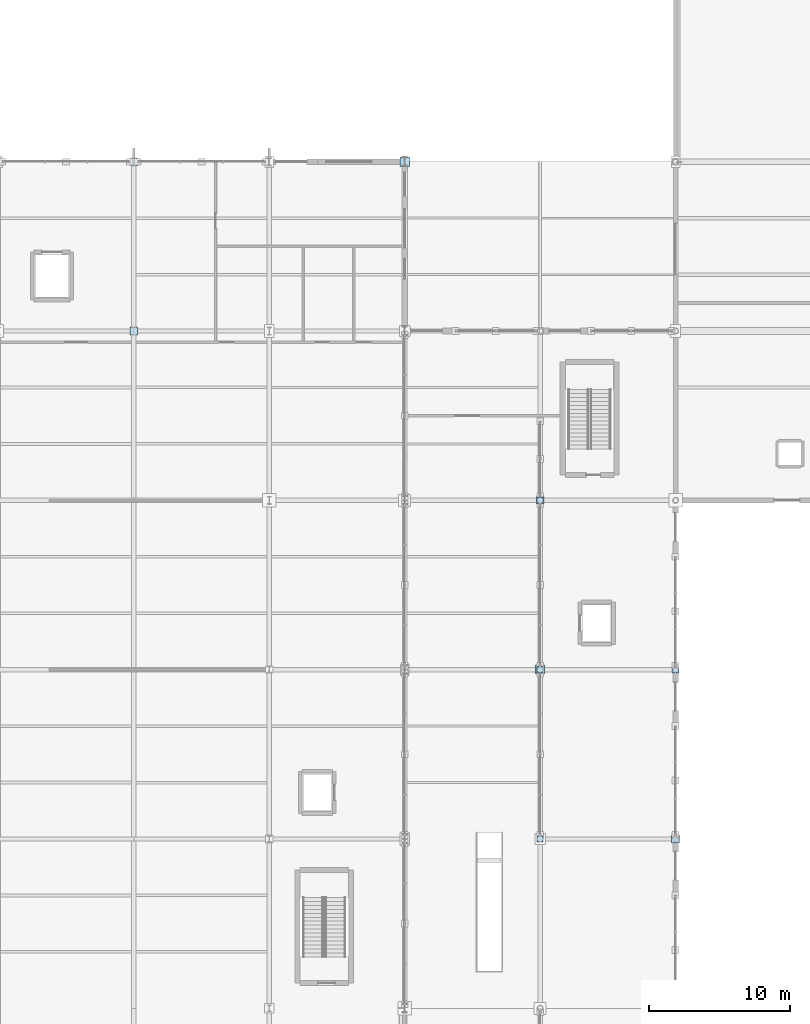
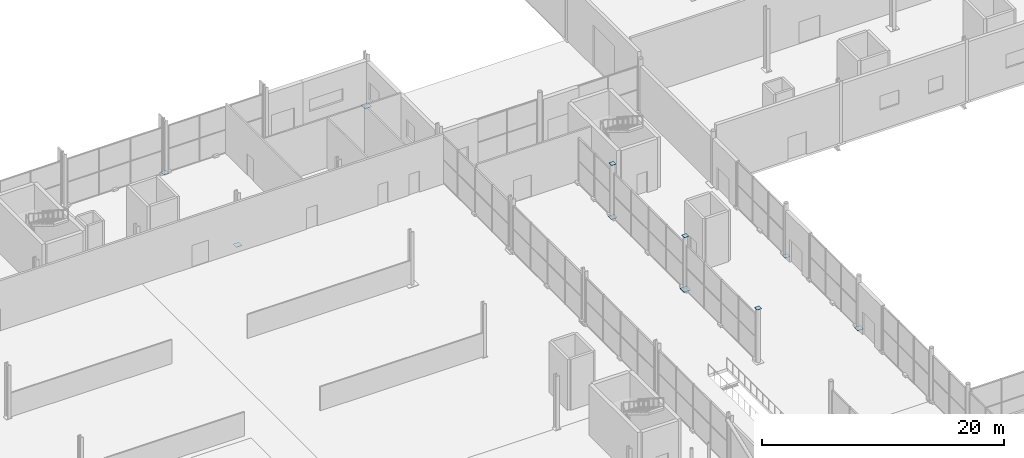
# One storey, part 163 of 196: 10 plates.
"""IFC4 building model written with IfcOpenShell, lengths in metres."""

from ifc_helpers import new_model, si_unit, direction, frame, origin, origin_2d, place, context, subcontext, project, spatial, rectangle, extrude, material, layer, layer_set, type_object, element, save


model = new_model("IFC4")

# Units and contexts
model_context = context("Model", 3, precision=1e-05, world=origin(), true_north=direction((0.0, 1.0)))
body_context = subcontext(model_context, "Body", "Model", "MODEL_VIEW")
ifc_project = project(units=[si_unit("LENGTHUNIT", "METRE"), si_unit("AREAUNIT", "SQUARE_METRE"), si_unit("VOLUMEUNIT", "CUBIC_METRE"), si_unit("PLANEANGLEUNIT", "RADIAN"), si_unit("MASSUNIT", "GRAM", prefix="KILO")], contexts=[model_context])

# Site, building, storey
site_placement = place(None, origin())
site = spatial("IfcSite", under=ifc_project, at=site_placement, CompositionType="ELEMENT")
building_placement = place(site_placement, origin())
building = spatial("IfcBuilding", under=site, at=building_placement, Name="Merenkruunu Market Hall", CompositionType="ELEMENT")
storey_placement = place(building_placement, origin())
storey = spatial("IfcBuildingStorey", under=building, at=storey_placement, Name="L00", CompositionType="ELEMENT", Elevation=0.0)

# Plates
ifc_material = material(Name="Steel S355ML", Category="steel")
ifc_layer_1 = layer(ifc_material, 0.034912109375)
ifc_layer_set_1 = layer_set([ifc_layer_1], Name="Steel S355ML")
plate_type_1 = type_object("IfcPlateType", Name="Column Base Plate BP03", PredefinedType="USERDEFINED", material=ifc_layer_set_1)
for number, where, z_axis, x_axis, name in (
    (1, (57.60009765625, 111.60009765625, 0.0), (0.0, 0.0, 1.0), (1.0, 0.0, 0.0), "PLT-BP-G-12"),
    (2, (67.199951171875, 75.60009765625, 0.0), (0.0, 0.0, 1.0), (1.0, 0.0, 0.0), "PLT-BP-H-09"),
):
    element("IfcPlate", number, at=place(storey_placement, frame(where, z_axis=z_axis, x_axis=x_axis)), inside=storey, type_object=plate_type_1, Name=name, ObjectType="BASE_PLATE", PredefinedType="USERDEFINED", context=body_context, shape_type="SweptSolid", body=[
        extrude(rectangle(XDim=0.64990234375, YDim=0.64990234375, at=origin_2d()), origin(), (0.0, 0.0, 1.0), 0.034912109375),
    ])
ifc_layer_2 = layer(ifc_material, 0.030029296875)
ifc_layer_set_2 = layer_set([ifc_layer_2], Name="Steel S355ML")
plate_type_2 = type_object("IfcPlateType", Name="Column Base Plate BP04", PredefinedType="USERDEFINED", material=ifc_layer_set_2)
for number, where, z_axis, x_axis, name in (
    (3, (38.39990234375, 99.60009765625, 0.0), (0.0, 0.0, 1.0), (1.0, 0.0, 0.0), "PLT-BP-E-11"),
    (4, (67.199951171875, 87.60009765625, 0.0), (0.0, 0.0, 1.0), (1.0, 0.0, 0.0), "PLT-BP-H-10"),
    (5, (76.800048828125, 63.60009765625, 0.0), (0.0, 0.0, 1.0), (1.0, 0.0, 0.0), "PLT-BP-J-08"),
):
    element("IfcPlate", number, at=place(storey_placement, frame(where, z_axis=z_axis, x_axis=x_axis)), inside=storey, type_object=plate_type_2, Name=name, ObjectType="BASE_PLATE", PredefinedType="USERDEFINED", context=body_context, shape_type="SweptSolid", body=[
        extrude(rectangle(XDim=0.550048828125, YDim=0.550048828125, at=origin_2d()), origin(), (0.0, 0.0, 1.0), 0.030029296875),
    ])
ifc_layer_3 = layer(ifc_material, 0.028076171875)
ifc_layer_set_3 = layer_set([ifc_layer_3], Name="Steel S355ML")
plate_type_3 = type_object("IfcPlateType", Name="Column Base Plate BP05", PredefinedType="USERDEFINED", material=ifc_layer_set_3)
for number, where, z_axis, x_axis, name in (
    (6, (38.39990234375, 111.60009765625, 0.0), (0.0, 0.0, 1.0), (1.0, 0.0, 0.0), "PLT-BP-E-12"),
    (7, (76.800048828125, 75.60009765625, 0.0), (0.0, 0.0, 1.0), (1.0, 0.0, 0.0), "PLT-BP-J-09"),
):
    element("IfcPlate", number, at=place(storey_placement, frame(where, z_axis=z_axis, x_axis=x_axis)), inside=storey, type_object=plate_type_3, Name=name, ObjectType="BASE_PLATE", PredefinedType="USERDEFINED", context=body_context, shape_type="SweptSolid", body=[
        extrude(rectangle(XDim=0.5, YDim=0.5, at=origin_2d()), origin(), (0.0, 0.0, 1.0), 0.028076171875),
    ])
ifc_layer_4 = layer(ifc_material, 0.02197265625)
ifc_layer_set_4 = layer_set([ifc_layer_4], Name="Steel S355ML")
plate_type_4 = type_object("IfcPlateType", Name="Truss Gusset Or Cap Plate CP02", PredefinedType="USERDEFINED", material=ifc_layer_set_4)
for number, where, z_axis, x_axis, name in (
    (8, (67.199951171875, 63.60009765625, 5.39794921875), (0.0, 0.0, 1.0), (1.0, 0.0, 0.0), "PLT-CAP-034"),
    (9, (67.199951171875, 75.60009765625, 5.39794921875), (0.0, 0.0, 1.0), (1.0, 0.0, 0.0), "PLT-CAP-035"),
    (10, (67.199951171875, 87.60009765625, 5.39794921875), (0.0, 0.0, 1.0), (1.0, 0.0, 0.0), "PLT-CAP-036"),
):
    element("IfcPlate", number, at=place(storey_placement, frame(where, z_axis=z_axis, x_axis=x_axis)), inside=storey, type_object=plate_type_4, Name=name, ObjectType="GUSSET_PLATE", PredefinedType="USERDEFINED", context=body_context, shape_type="SweptSolid", body=[
        extrude(rectangle(XDim=0.43994140625, YDim=0.43994140625, at=origin_2d()), origin(), (0.0, 0.0, 1.0), 0.02197265625),
    ])

save(model, "model.ifc")
